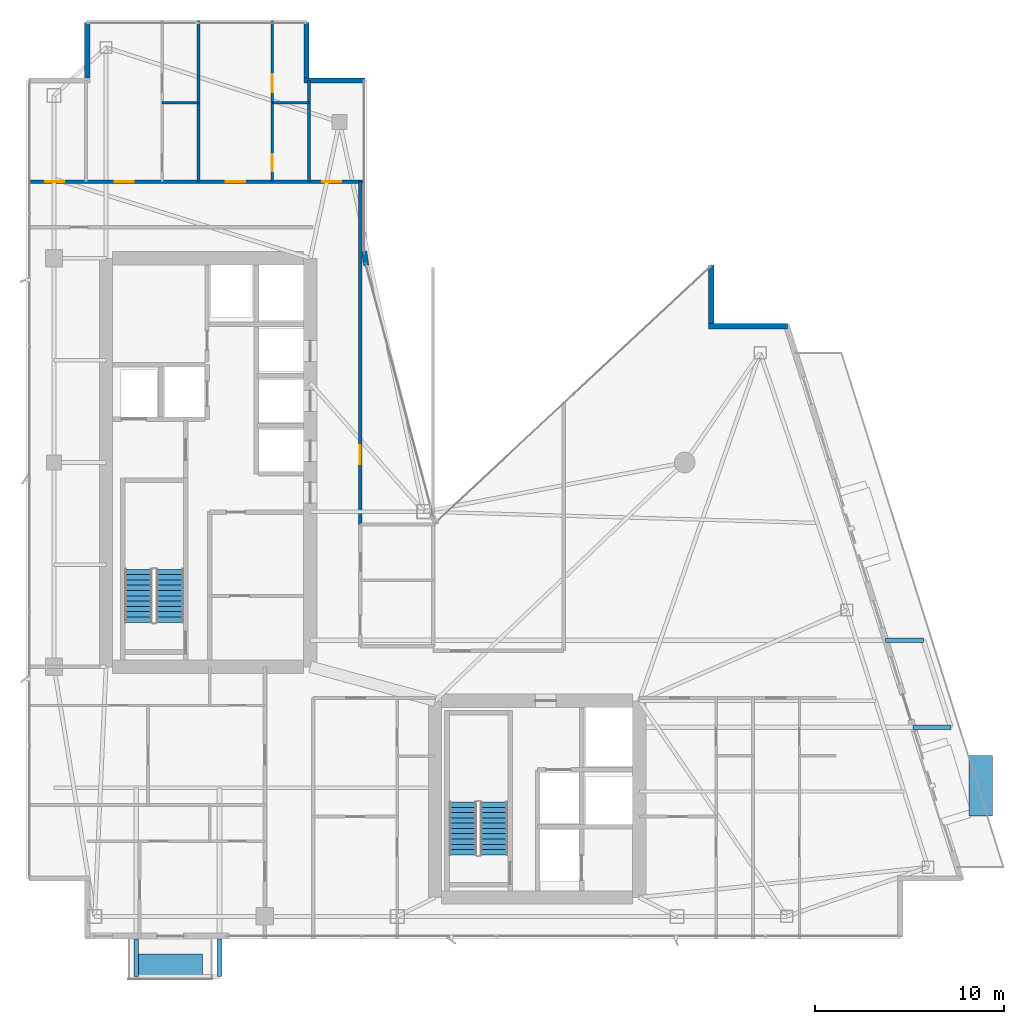
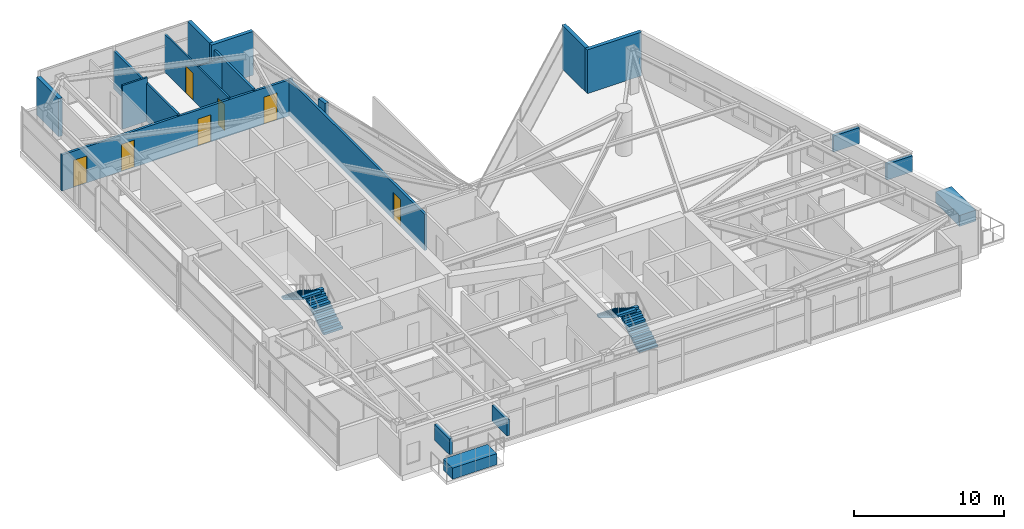
# One storey, part 25 of 28: 13 walls, 7 doors, 6 discrete accessories, 4 stair flights, 7 openings, 2 elements without a shape of their own.
"""IFC4 building model written with IfcOpenShell, lengths in metres."""

from ifc_helpers import new_model, si_unit, direction, frame, frame_2d, origin, origin_2d, place, context, subcontext, project, spatial, polyline, rectangle, outline, extrude, material, layer, layer_set, type_object, element, fill, aggregate, save


model = new_model("IFC4")

# Units and contexts
model_context = context("Model", 3, precision=1e-05, world=origin(), true_north=direction((0.0, 1.0)))
body_context = subcontext(model_context, "Body", "Model", "MODEL_VIEW")
ifc_project = project(units=[si_unit("LENGTHUNIT", "METRE"), si_unit("AREAUNIT", "SQUARE_METRE"), si_unit("VOLUMEUNIT", "CUBIC_METRE"), si_unit("PLANEANGLEUNIT", "RADIAN"), si_unit("MASSUNIT", "GRAM", prefix="KILO")], contexts=[model_context])

# Site, building, storey
site_placement = place(None, origin())
site = spatial("IfcSite", under=ifc_project, at=site_placement, CompositionType="ELEMENT")
building_placement = place(site_placement, origin())
building = spatial("IfcBuilding", under=site, at=building_placement, Name="Calvorn Quay Hotel", CompositionType="ELEMENT")
storey_placement = place(building_placement, frame((0.0, 0.0, 219.300048828125)))
storey = spatial("IfcBuildingStorey", under=building, at=storey_placement, Name="L54", CompositionType="ELEMENT", Elevation=219.300048828125)

# Wall, openings, doors
ifc_material_1 = material(Name="Acoustic Fireboard Steel-Stud Partition", Category="steel")
ifc_layer_1 = layer(ifc_material_1, 0.179931640625)
ifc_layer_set_1 = layer_set([ifc_layer_1], Name="WL-CORR-FIRE-180")
wall_type_1 = type_object("IfcWallType", Name="WL-CORR-FIRE-180", PredefinedType="PARTITIONING", material=ifc_layer_set_1)
wall_1_placement = place(storey_placement, frame((0.080078125, 42.449951171875, 0.0), z_axis=(0.0, 0.0, 1.0), x_axis=(1.0, 0.0, 0.0)))
wall_1 = element("IfcWall", 1, at=wall_1_placement, inside=storey, type_object=wall_type_1, Name="Partition Wall L54-WL-CORR-NW-N", PredefinedType="PARTITIONING", context=body_context, shape_type="SweptSolid", body=[
    extrude(rectangle(XDim=17.77001953125, YDim=0.179931640625, at=frame_2d((8.885009765625, 0.0))), origin(), (0.0, 0.0, 1.0), 2.93994140625),
])
opening_1_placement = place(wall_1_placement, frame((0.89990234375, 0.0, 0.0)))
opening_1 = element("IfcOpeningElement", 2, at=opening_1_placement, cuts=wall_1, Name="Opening D-L54-NWW", PredefinedType="OPENING", context=body_context, shape_type="SweptSolid", body=[
    extrude(rectangle(XDim=1.02001953125, YDim=2.199951171875, at=frame_2d((0.510009765625, 1.10009765625))), frame((0.0, 0.099853515625, 0.0), z_axis=(0.0, -1.0, 0.0), x_axis=(1.0, 0.0, 0.0)), (0.0, 0.0, 1.0), 0.199951171875),
])
opening_2_placement = place(wall_1_placement, frame((4.570068359375, 0.0, 0.0)))
opening_2 = element("IfcOpeningElement", 3, at=opening_2_placement, cuts=wall_1, Name="Opening D-L54-U04", PredefinedType="OPENING", context=body_context, shape_type="SweptSolid", body=[
    extrude(rectangle(XDim=1.02001953125, YDim=2.199951171875, at=frame_2d((0.510009765625, 1.10009765625))), frame((0.0, 0.099853515625, 0.0), z_axis=(0.0, -1.0, 0.0), x_axis=(1.0, 0.0, 0.0)), (0.0, 0.0, 1.0), 0.199951171875),
])
opening_3_placement = place(wall_1_placement, frame((10.4599609375, 0.0, 0.0)))
opening_3 = element("IfcOpeningElement", 4, at=opening_3_placement, cuts=wall_1, Name="Opening D-L54-U05", PredefinedType="OPENING", context=body_context, shape_type="SweptSolid", body=[
    extrude(rectangle(XDim=1.02001953125, YDim=2.199951171875, at=frame_2d((0.510009765625, 1.10009765625))), frame((0.0, 0.099853515625, 0.0), z_axis=(0.0, -1.0, 0.0), x_axis=(1.0, 0.0, 0.0)), (0.0, 0.0, 1.0), 0.199951171875),
])
opening_4_placement = place(wall_1_placement, frame((15.550048828125, 0.0, 0.0)))
opening_4 = element("IfcOpeningElement", 5, at=opening_4_placement, cuts=wall_1, Name="Opening D-L54-NWE", PredefinedType="OPENING", context=body_context, shape_type="SweptSolid", body=[
    extrude(rectangle(XDim=1.02001953125, YDim=2.199951171875, at=frame_2d((0.510009765625, 1.10009765625))), frame((0.0, 0.099853515625, 0.0), z_axis=(0.0, -1.0, 0.0), x_axis=(1.0, 0.0, 0.0)), (0.0, 0.0, 1.0), 0.199951171875),
])
ifc_material_2 = material(Name="Solid-Core Walnut Veneer Hotel Fire Door")
door_type_1 = type_object("IfcDoorType", Name="DR-GUEST-ENTRY-1020", OperationType="NOTDEFINED", PredefinedType="DOOR", material=ifc_material_2)
door_1_placement = place(opening_1_placement, origin())
door_1 = element("IfcDoor", 6, at=door_1_placement, inside=storey, type_object=door_type_1, Name="West Corner Study Door (L54)", OperationType="SINGLE_SWING_LEFT", OverallHeight=2.199951171875, OverallWidth=1.02001953125, PredefinedType="DOOR", context=body_context, shape_type="SweptSolid", body=[
    extrude(rectangle(XDim=1.02001953125, YDim=2.199951171875, at=frame_2d((0.510009765625, 1.10009765625))), frame((0.0, 0.02490234375, 0.0), z_axis=(0.0, -1.0, 0.0), x_axis=(1.0, 0.0, 0.0)), (0.0, 0.0, 1.0), 0.050048828125),
])
fill(opening_1, door_1)
door_2_placement = place(opening_2_placement, origin())
door_2 = element("IfcDoor", 7, at=door_2_placement, inside=storey, type_object=door_type_1, Name="North-West Unit Door U04 (L54)", OperationType="SINGLE_SWING_RIGHT", OverallHeight=2.199951171875, OverallWidth=1.02001953125, PredefinedType="DOOR", context=body_context, shape_type="SweptSolid", body=[
    extrude(rectangle(XDim=1.02001953125, YDim=2.199951171875, at=frame_2d((0.510009765625, 1.10009765625))), frame((0.0, 0.02490234375, 0.0), z_axis=(0.0, -1.0, 0.0), x_axis=(1.0, 0.0, 0.0)), (0.0, 0.0, 1.0), 0.050048828125),
])
fill(opening_2, door_2)
door_3_placement = place(opening_3_placement, origin())
door_3 = element("IfcDoor", 8, at=door_3_placement, inside=storey, type_object=door_type_1, Name="North-West Unit Door U05 (L54)", OperationType="SINGLE_SWING_LEFT", OverallHeight=2.199951171875, OverallWidth=1.02001953125, PredefinedType="DOOR", context=body_context, shape_type="SweptSolid", body=[
    extrude(rectangle(XDim=1.02001953125, YDim=2.199951171875, at=frame_2d((0.510009765625, 1.10009765625))), frame((0.0, 0.02490234375, 0.0), z_axis=(0.0, -1.0, 0.0), x_axis=(1.0, 0.0, 0.0)), (0.0, 0.0, 1.0), 0.050048828125),
])
fill(opening_3, door_3)
door_4_placement = place(opening_4_placement, origin())
door_4 = element("IfcDoor", 9, at=door_4_placement, inside=storey, type_object=door_type_1, Name="Inner Court Study Door (L54)", OperationType="SINGLE_SWING_RIGHT", OverallHeight=2.199951171875, OverallWidth=1.02001953125, PredefinedType="DOOR", context=body_context, shape_type="SweptSolid", body=[
    extrude(rectangle(XDim=1.02001953125, YDim=2.199951171875, at=frame_2d((0.510009765625, 1.10009765625))), frame((0.0, 0.02490234375, 0.0), z_axis=(0.0, -1.0, 0.0), x_axis=(1.0, 0.0, 0.0)), (0.0, 0.0, 1.0), 0.050048828125),
])
fill(opening_4, door_4)

# Wall, opening, door
wall_2_placement = place(storey_placement, frame((17.64990234375, 24.300048828125, 0.0), z_axis=(0.0, 0.0, 1.0), x_axis=(0.0, 1.0, 0.0)))
wall_2 = element("IfcWall", 10, at=wall_2_placement, inside=storey, type_object=wall_type_1, Name="Partition Wall L54-WL-NW-CLOSURE-E", PredefinedType="PARTITIONING", context=body_context, shape_type="SweptSolid", body=[
    extrude(rectangle(XDim=18.14990234375, YDim=0.179931640625, at=frame_2d((9.074951171875, 0.0))), origin(), (0.0, 0.0, 1.0), 2.93994140625),
])
opening_5_placement = place(wall_2_placement, frame((3.199951171875, 0.0, 0.0)))
opening_5 = element("IfcOpeningElement", 11, at=opening_5_placement, cuts=wall_2, Name="Opening D-L54-NCU", PredefinedType="OPENING", context=body_context, shape_type="SweptSolid", body=[
    extrude(rectangle(XDim=1.02001953125, YDim=2.199951171875, at=frame_2d((0.510009765625, 1.10009765625))), frame((0.0, 0.099853515625, 0.0), z_axis=(0.0, -1.0, 0.0), x_axis=(1.0, 0.0, 0.0)), (0.0, 0.0, 1.0), 0.199951171875),
])
door_5_placement = place(opening_5_placement, origin())
door_5 = element("IfcDoor", 12, at=door_5_placement, inside=storey, type_object=door_type_1, Name="Inner Court Horizon Study Door (L54)", OperationType="SINGLE_SWING_RIGHT", OverallHeight=2.199951171875, OverallWidth=1.02001953125, PredefinedType="DOOR", context=body_context, shape_type="SweptSolid", body=[
    extrude(rectangle(XDim=1.02001953125, YDim=2.199951171875, at=frame_2d((0.510009765625, 1.10009765625))), frame((0.0, 0.02490234375, 0.0), z_axis=(0.0, -1.0, 0.0), x_axis=(1.0, 0.0, 0.0)), (0.0, 0.0, 1.0), 0.050048828125),
])
fill(opening_5, door_5)

# Walls
ifc_material_3 = material(Name="Moisture-Resistant Tile-Backed Partition")
ifc_layer_2 = layer(ifc_material_3, 0.125)
ifc_layer_set_2 = layer_set([ifc_layer_2], Name="WL-ENSUITE-125")
wall_type_2 = type_object("IfcWallType", Name="WL-ENSUITE-125", PredefinedType="PARTITIONING", material=ifc_layer_set_2)
wall_3_placement = place(storey_placement, frame((7.169921875, 46.6201171875, 0.0), z_axis=(0.0, 0.0, 1.0), x_axis=(1.0, 0.0, 0.0)))
element("IfcWall", 13, at=wall_3_placement, inside=storey, type_object=wall_type_2, Name="Partition Wall L54-WL-U04-BDV", PredefinedType="PARTITIONING", context=body_context, shape_type="SweptSolid", body=[
    extrude(rectangle(XDim=1.93017578125, YDim=0.125, at=frame_2d((0.965087890625, 0.0))), origin(), (0.0, 0.0, 1.0), 3.56005859375),
])
wall_4_placement = place(storey_placement, frame((12.989990234375, 46.6201171875, 0.0), z_axis=(0.0, 0.0, 1.0), x_axis=(1.0, 0.0, 0.0)))
element("IfcWall", 14, at=wall_4_placement, inside=storey, type_object=wall_type_2, Name="Partition Wall L54-WL-U05-BDV", PredefinedType="PARTITIONING", context=body_context, shape_type="SweptSolid", body=[
    extrude(rectangle(XDim=1.929931640625, YDim=0.125, at=frame_2d((0.96484375, 0.0))), origin(), (0.0, 0.0, 1.0), 3.08984375),
])

# Wall, openings, doors
wall_5_placement = place(storey_placement, frame((12.989990234375, 42.449951171875, 0.0), z_axis=(0.0, 0.0, 1.0), x_axis=(0.0, 1.0, 0.0)))
wall_5 = element("IfcWall", 15, at=wall_5_placement, inside=storey, type_object=wall_type_2, Name="Partition Wall L54-WL-U05-BV", PredefinedType="PARTITIONING", context=body_context, shape_type="SweptSolid", body=[
    extrude(rectangle(XDim=8.489990234375, YDim=0.125, at=frame_2d((4.2451171875, 0.0))), origin(), (0.0, 0.0, 1.0), 3.08984375),
])
opening_6_placement = place(wall_5_placement, frame((0.550048828125, 0.0, 0.0)))
opening_6 = element("IfcOpeningElement", 16, at=opening_6_placement, cuts=wall_5, Name="Opening D-L54-E05", PredefinedType="OPENING", context=body_context, shape_type="SweptSolid", body=[
    extrude(rectangle(XDim=0.89990234375, YDim=2.14990234375, at=frame_2d((0.449951171875, 1.074951171875))), frame((0.0, 0.072509765625, 0.0), z_axis=(0.0, -1.0, 0.0), x_axis=(1.0, 0.0, 0.0)), (0.0, 0.0, 1.0), 0.14501953125),
])
opening_7_placement = place(wall_5_placement, frame((4.719970703125, 0.0, 0.0)))
opening_7 = element("IfcOpeningElement", 17, at=opening_7_placement, cuts=wall_5, Name="Opening D-L54-S05", PredefinedType="OPENING", context=body_context, shape_type="SweptSolid", body=[
    extrude(rectangle(XDim=0.9599609375, YDim=2.199951171875, at=frame_2d((0.47998046875, 1.10009765625))), frame((0.0, 0.072509765625, 0.0), z_axis=(0.0, -1.0, 0.0), x_axis=(1.0, 0.0, 0.0)), (0.0, 0.0, 1.0), 0.14501953125),
])
ifc_material_4 = material(Name="Moisture-Sealed Timber En-Suite Door", Category="wood")
door_type_2 = type_object("IfcDoorType", Name="DR-ENSUITE-900", OperationType="NOTDEFINED", PredefinedType="DOOR", material=ifc_material_4)
door_6_placement = place(opening_6_placement, origin())
door_6 = element("IfcDoor", 18, at=door_6_placement, inside=storey, type_object=door_type_2, Name="En-Suite Door 05", OperationType="SINGLE_SWING_LEFT", OverallHeight=2.14990234375, OverallWidth=0.89990234375, PredefinedType="DOOR", context=body_context, shape_type="SweptSolid", body=[
    extrude(rectangle(XDim=0.89990234375, YDim=2.14990234375, at=frame_2d((0.449951171875, 1.074951171875))), frame((0.0, 0.02490234375, 0.0), z_axis=(0.0, -1.0, 0.0), x_axis=(1.0, 0.0, 0.0)), (0.0, 0.0, 1.0), 0.050048828125),
])
fill(opening_6, door_6)
ifc_material_5 = material(Name="Solid Timber Internal Suite Door", Category="wood")
door_type_3 = type_object("IfcDoorType", Name="DR-SUITE-INT-960", OperationType="NOTDEFINED", PredefinedType="DOOR", material=ifc_material_5)
door_7_placement = place(opening_7_placement, origin())
door_7 = element("IfcDoor", 19, at=door_7_placement, inside=storey, type_object=door_type_3, Name="Executive Work Office Door 05", OperationType="SINGLE_SWING_RIGHT", OverallHeight=2.199951171875, OverallWidth=0.9599609375, PredefinedType="DOOR", context=body_context, shape_type="SweptSolid", body=[
    extrude(rectangle(XDim=0.9599609375, YDim=2.199951171875, at=frame_2d((0.47998046875, 1.10009765625))), frame((0.0, 0.02490234375, 0.0), z_axis=(0.0, -1.0, 0.0), x_axis=(1.0, 0.0, 0.0)), (0.0, 0.0, 1.0), 0.050048828125),
])
fill(opening_7, door_7)

# Walls
ifc_material_6 = material(Name="Concrete C40", Category="concrete")
ifc_layer_3 = layer(ifc_material_6, 0.320068359375)
ifc_layer_set_3 = layer_set([ifc_layer_3], Name="WL-EXT-SPANDREL-320")
wall_type_3 = type_object("IfcWallType", Name="WL-EXT-SPANDREL-320", PredefinedType="SOLIDWALL", material=ifc_layer_set_3)
wall_6_placement = place(storey_placement, frame((17.9619140625, 38.030029296875, 0.0), z_axis=(0.0, 0.0, 1.0), x_axis=(-0.15141125477, 0.988470855377, 0.0)))
element("IfcWall", 20, at=wall_6_placement, inside=storey, type_object=wall_type_3, Name="Inner Court Corner Pier L54-ICJ2", PredefinedType="SOLIDWALL", context=body_context, shape_type="SweptSolid", body=[
    extrude(rectangle(XDim=0.738525390625, YDim=0.280029296875, at=frame_2d((0.369140625, 0.0))), origin(), (0.0, 0.0, 1.0), 3.56005859375),
])
wall_7_placement = place(storey_placement, frame((40.239990234375, 34.800048828125, 0.0), z_axis=(0.0, 0.0, 1.0), x_axis=(-1.0, 0.0, 0.0)))
element("IfcWall", 21, at=wall_7_placement, inside=storey, type_object=wall_type_3, Name="Notched Corner Spandrel L54-NE1", PredefinedType="SOLIDWALL", context=body_context, shape_type="SweptSolid", body=[
    extrude(rectangle(XDim=4.179931640625, YDim=0.280029296875, at=frame_2d((2.08984375, 0.0))), origin(), (0.0, 0.0, 1.0), 3.56005859375),
])
wall_8_placement = place(storey_placement, frame((36.199951171875, 34.93994140625, 0.0), z_axis=(0.0, 0.0, 1.0), x_axis=(0.0, 1.0, 0.0)))
element("IfcWall", 22, at=wall_8_placement, inside=storey, type_object=wall_type_3, Name="Notched Corner Spandrel L54-NE2", PredefinedType="SOLIDWALL", context=body_context, shape_type="SweptSolid", body=[
    extrude(rectangle(XDim=3.10009765625, YDim=0.280029296875, at=frame_2d((1.550048828125, 0.0))), origin(), (0.0, 0.0, 1.0), 3.56005859375),
])
wall_9_placement = place(storey_placement, frame((17.89990234375, 47.800048828125, 0.0), z_axis=(0.0, 0.0, 1.0), x_axis=(-1.0, 0.0, 0.0)))
element("IfcWall", 23, at=wall_9_placement, inside=storey, type_object=wall_type_3, Name="Notched Corner Spandrel L54-NWE1", PredefinedType="SOLIDWALL", context=body_context, shape_type="SweptSolid", body=[
    extrude(rectangle(XDim=3.239990234375, YDim=0.280029296875, at=frame_2d((1.6201171875, 0.0))), origin(), (0.0, 0.0, 1.0), 3.56005859375),
])
wall_10_placement = place(storey_placement, frame((14.800048828125, 47.93994140625, 0.0), z_axis=(0.0, 0.0, 1.0), x_axis=(0.0, 1.0, 0.0)))
element("IfcWall", 24, at=wall_10_placement, inside=storey, type_object=wall_type_3, Name="Notched Corner Spandrel L54-NWE2", PredefinedType="SOLIDWALL", context=body_context, shape_type="SweptSolid", body=[
    extrude(rectangle(XDim=2.93994140625, YDim=0.280029296875, at=frame_2d((1.469970703125, 0.0))), origin(), (0.0, 0.0, 1.0), 3.56005859375),
])
wall_11_placement = place(storey_placement, frame((3.199951171875, 50.8798828125, 0.0), z_axis=(0.0, 0.0, 1.0), x_axis=(0.0, -1.0, 0.0)))
element("IfcWall", 25, at=wall_11_placement, inside=storey, type_object=wall_type_3, Name="Notched Corner Spandrel L54-NW1", PredefinedType="SOLIDWALL", context=body_context, shape_type="SweptSolid", body=[
    extrude(rectangle(XDim=2.93994140625, YDim=0.280029296875, at=frame_2d((1.469970703125, 0.0))), origin(), (0.0, 0.0, 1.0), 3.08984375),
])
ifc_material_7 = material(Name="Double-Stud Acoustic Gypsum Partition")
ifc_layer_4 = layer(ifc_material_7, 0.159912109375)
ifc_layer_set_4 = layer_set([ifc_layer_4], Name="WL-INTERSUITE-160")
wall_type_4 = type_object("IfcWallType", Name="WL-INTERSUITE-160", PredefinedType="PARTITIONING", material=ifc_layer_set_4)
wall_12_placement = place(storey_placement, frame((14.919921875, 42.449951171875, 0.0), z_axis=(0.0, 0.0, 1.0), x_axis=(0.0, 1.0, 0.0)))
element("IfcWall", 26, at=wall_12_placement, inside=storey, type_object=wall_type_4, Name="Partition Wall L54-WL-NW-DIV-E0", PredefinedType="PARTITIONING", context=body_context, shape_type="SweptSolid", body=[
    extrude(rectangle(XDim=5.35009765625, YDim=0.159912109375, at=frame_2d((2.675048828125, 0.0))), origin(), (0.0, 0.0, 1.0), 3.08984375),
])
wall_13_placement = place(storey_placement, frame((9.10009765625, 42.449951171875, 0.0), z_axis=(0.0, 0.0, 1.0), x_axis=(0.0, 1.0, 0.0)))
element("IfcWall", 27, at=wall_13_placement, inside=storey, type_object=wall_type_4, Name="Partition Wall L54-WL-NW-DIV-1", PredefinedType="PARTITIONING", context=body_context, shape_type="SweptSolid", body=[
    extrude(rectangle(XDim=8.489990234375, YDim=0.159912109375, at=frame_2d((4.2451171875, 0.0))), origin(), (0.0, 0.0, 1.0), 3.08984375),
])

# Stair, stair flights
ifc_material_8 = material(Name="Concrete C40", Category="concrete")
stair_type = type_object("IfcStairType", Name="STR-CORE-DOGLEG", PredefinedType="HALF_TURN_STAIR", material=ifc_material_8)
stair_1_placement = place(storey_placement, origin())
stair_1 = element("IfcStair", 28, at=stair_1_placement, inside=storey, type_object=stair_type, Name="L54 ST-W", PredefinedType="HALF_TURN_STAIR")
ifc_material_9 = material(Name="Concrete C40", Category="concrete")
stair_flight_type = type_object("IfcStairFlightType", Name="FLT-CORE-1550", PredefinedType="STRAIGHT", material=ifc_material_9)
stair_flight_1_placement = place(storey_placement, frame((7.574951171875, 19.14990234375, 0.0), z_axis=(0.0, 0.0, 1.0), x_axis=(0.0, 1.0, 0.0)))
stair_flight_1 = element("IfcStairFlight", 29, at=stair_flight_1_placement, type_object=stair_flight_type, Name="ST-W flight 1", NumberOfRisers=11, NumberOfTreads=10, PredefinedType="STRAIGHT", RiserHeight=0.172727273, TreadLength=0.28, context=body_context, shape_type="SweptSolid", body=[
    extrude(outline(polyline([(0.0, 0.0), (0.0, 0.172607421875), (0.280029296875, 0.172607421875), (0.280029296875, 0.345458984375), (0.56005859375, 0.345458984375), (0.56005859375, 0.51806640625), (0.840087890625, 0.51806640625), (0.840087890625, 0.69091796875), (1.1201171875, 0.69091796875), (1.1201171875, 0.863525390625), (1.39990234375, 0.863525390625), (1.39990234375, 1.036376953125), (1.679931640625, 1.036376953125), (1.679931640625, 1.208984375), (1.9599609375, 1.208984375), (1.9599609375, 1.3818359375), (2.239990234375, 1.3818359375), (2.239990234375, 1.554443359375), (2.52001953125, 1.554443359375), (2.52001953125, 1.727294921875), (2.800048828125, 1.727294921875), (2.800048828125, 1.89990234375), (2.800048828125, 1.551025390625), (0.285400390625, 0.0), (0.0, 0.0)])), frame((0.0, 0.72509765625, 0.0), z_axis=(0.0, -1.0, 0.0), x_axis=(1.0, 0.0, 0.0)), (0.0, 0.0, 1.0), 1.449951171875),
])
stair_flight_2_placement = place(storey_placement, frame((5.925048828125, 21.949951171875, 1.89990234375), z_axis=(0.0, 0.0, 1.0), x_axis=(0.0, -1.0, 0.0)))
stair_flight_2 = element("IfcStairFlight", 30, at=stair_flight_2_placement, type_object=stair_flight_type, Name="ST-W flight 2", NumberOfRisers=11, NumberOfTreads=10, PredefinedType="STRAIGHT", RiserHeight=0.172727273, TreadLength=0.28, context=body_context, shape_type="SweptSolid", body=[
    extrude(outline(polyline([(0.0, 0.0), (0.0, 0.172607421875), (0.280029296875, 0.172607421875), (0.280029296875, 0.345458984375), (0.56005859375, 0.345458984375), (0.56005859375, 0.51806640625), (0.840087890625, 0.51806640625), (0.840087890625, 0.69091796875), (1.1201171875, 0.69091796875), (1.1201171875, 0.863525390625), (1.39990234375, 0.863525390625), (1.39990234375, 1.036376953125), (1.679931640625, 1.036376953125), (1.679931640625, 1.208984375), (1.9599609375, 1.208984375), (1.9599609375, 1.3818359375), (2.239990234375, 1.3818359375), (2.239990234375, 1.554443359375), (2.52001953125, 1.554443359375), (2.52001953125, 1.727294921875), (2.800048828125, 1.727294921875), (2.800048828125, 1.89990234375), (2.800048828125, 1.551025390625), (0.285400390625, 0.0), (0.0, 0.0)])), frame((0.0, 0.72509765625, 0.0), z_axis=(0.0, -1.0, 0.0), x_axis=(1.0, 0.0, 0.0)), (0.0, 0.0, 1.0), 1.449951171875),
])
aggregate(stair_1, [stair_flight_1, stair_flight_2])

stair_2_placement = place(storey_placement, origin())
stair_2 = element("IfcStair", 31, at=stair_2_placement, inside=storey, type_object=stair_type, Name="L54 ST-E", PredefinedType="HALF_TURN_STAIR")
stair_flight_3_placement = place(storey_placement, frame((24.72509765625, 6.85009765625, 0.0), z_axis=(0.0, 0.0, 1.0), x_axis=(0.0, 1.0, 0.0)))
stair_flight_3 = element("IfcStairFlight", 32, at=stair_flight_3_placement, type_object=stair_flight_type, Name="ST-E flight 1", NumberOfRisers=11, NumberOfTreads=10, PredefinedType="STRAIGHT", RiserHeight=0.172727273, TreadLength=0.28, context=body_context, shape_type="SweptSolid", body=[
    extrude(outline(polyline([(0.0, 0.0), (0.0, 0.172607421875), (0.280029296875, 0.172607421875), (0.280029296875, 0.345458984375), (0.56005859375, 0.345458984375), (0.56005859375, 0.51806640625), (0.840087890625, 0.51806640625), (0.840087890625, 0.69091796875), (1.1201171875, 0.69091796875), (1.1201171875, 0.863525390625), (1.39990234375, 0.863525390625), (1.39990234375, 1.036376953125), (1.679931640625, 1.036376953125), (1.679931640625, 1.208984375), (1.9599609375, 1.208984375), (1.9599609375, 1.3818359375), (2.239990234375, 1.3818359375), (2.239990234375, 1.554443359375), (2.52001953125, 1.554443359375), (2.52001953125, 1.727294921875), (2.800048828125, 1.727294921875), (2.800048828125, 1.89990234375), (2.800048828125, 1.551025390625), (0.285400390625, 0.0), (0.0, 0.0)])), frame((0.0, 0.72509765625, 0.0), z_axis=(0.0, -1.0, 0.0), x_axis=(1.0, 0.0, 0.0)), (0.0, 0.0, 1.0), 1.449951171875),
])
stair_flight_4_placement = place(storey_placement, frame((23.074951171875, 9.64990234375, 1.89990234375), z_axis=(0.0, 0.0, 1.0), x_axis=(0.0, -1.0, 0.0)))
stair_flight_4 = element("IfcStairFlight", 33, at=stair_flight_4_placement, type_object=stair_flight_type, Name="ST-E flight 2", NumberOfRisers=11, NumberOfTreads=10, PredefinedType="STRAIGHT", RiserHeight=0.172727273, TreadLength=0.28, context=body_context, shape_type="SweptSolid", body=[
    extrude(outline(polyline([(0.0, 0.0), (0.0, 0.172607421875), (0.280029296875, 0.172607421875), (0.280029296875, 0.345458984375), (0.56005859375, 0.345458984375), (0.56005859375, 0.51806640625), (0.840087890625, 0.51806640625), (0.840087890625, 0.69091796875), (1.1201171875, 0.69091796875), (1.1201171875, 0.863525390625), (1.39990234375, 0.863525390625), (1.39990234375, 1.036376953125), (1.679931640625, 1.036376953125), (1.679931640625, 1.208984375), (1.9599609375, 1.208984375), (1.9599609375, 1.3818359375), (2.239990234375, 1.3818359375), (2.239990234375, 1.554443359375), (2.52001953125, 1.554443359375), (2.52001953125, 1.727294921875), (2.800048828125, 1.727294921875), (2.800048828125, 1.89990234375), (2.800048828125, 1.551025390625), (0.285400390625, 0.0), (0.0, 0.0)])), frame((0.0, 0.72509765625, 0.0), z_axis=(0.0, -1.0, 0.0), x_axis=(1.0, 0.0, 0.0)), (0.0, 0.0, 1.0), 1.449951171875),
])
aggregate(stair_2, [stair_flight_3, stair_flight_4])

# Discrete accessories
ifc_material_10 = material(Name="Steel Q355B", Category="steel")
discrete_accessory_type_1 = type_object("IfcDiscreteAccessoryType", Name="ACC-BALC-STRUT", PredefinedType="BRACKET", material=ifc_material_10)
for number, where, z_axis, x_axis, name in (
    (34, (47.8740234375, 13.60009765625, 2.01513671875), (0.0, 0.0, 1.0), (1.0, 0.0, 0.0), "Exterior Balcony Steel Bracket L55-BALC-E-A"),
    (35, (46.425048828125, 18.199951171875, 2.01513671875), (0.0, 0.0, 1.0), (1.0, 0.0, 0.0), "Exterior Balcony Steel Bracket L55-BALC-E-B"),
):
    element("IfcDiscreteAccessory", number, at=place(storey_placement, frame(where, z_axis=z_axis, x_axis=x_axis)), inside=storey, type_object=discrete_accessory_type_1, Name=name, PredefinedType="BRACKET", context=body_context, shape_type="SweptSolid", body=[
        extrude(rectangle(XDim=1.989990234375, YDim=0.219970703125, at=origin_2d()), origin(), (0.0, 0.0, 1.0), 1.300048828125),
    ])
for number, where, z_axis, x_axis, name in (
    (36, (5.800048828125, 1.405029296875, 2.01513671875), (0.0, 0.0, 1.0), (1.0, 0.0, 0.0), "Exterior Balcony Steel Bracket L55-BALC-S-A"),
    (37, (10.199951171875, 1.405029296875, 2.01513671875), (0.0, 0.0, 1.0), (1.0, 0.0, 0.0), "Exterior Balcony Steel Bracket L55-BALC-S-B"),
):
    element("IfcDiscreteAccessory", number, at=place(storey_placement, frame(where, z_axis=z_axis, x_axis=x_axis)), inside=storey, type_object=discrete_accessory_type_1, Name=name, PredefinedType="BRACKET", context=body_context, shape_type="SweptSolid", body=[
        extrude(rectangle(XDim=0.219970703125, YDim=1.989990234375, at=origin_2d()), origin(), (0.0, 0.0, 1.0), 1.300048828125),
    ])
ifc_material_11 = material(Name="Precast concrete C40", Category="concrete")
discrete_accessory_type_2 = type_object("IfcDiscreteAccessoryType", Name="ACC-TREE-PLANTER", PredefinedType="USERDEFINED", material=ifc_material_11)
discrete_accessory_1_placement = place(storey_placement, frame((7.60009765625, 0.989990234375, 0.0), z_axis=(0.0, 0.0, 1.0), x_axis=(1.0, 0.0, 0.0)))
element("IfcDiscreteAccessory", 38, at=discrete_accessory_1_placement, inside=storey, type_object=discrete_accessory_type_2, Name="Subtropical Tree Structural Planter L54-BALC-S", ObjectType="PLANTER", PredefinedType="USERDEFINED", context=body_context, shape_type="SweptSolid", body=[
    extrude(rectangle(XDim=3.39990234375, YDim=1.25, at=origin_2d()), origin(), (0.0, 0.0, 1.0), 0.89990234375),
])
discrete_accessory_2_placement = place(storey_placement, frame((50.446044921875, 10.5, 0.0), z_axis=(0.0, 0.0, 1.0), x_axis=(1.0, 0.0, 0.0)))
element("IfcDiscreteAccessory", 39, at=discrete_accessory_2_placement, inside=storey, type_object=discrete_accessory_type_2, Name="Sawtooth Terrace Tree Planter (L54)", ObjectType="PLANTER", PredefinedType="USERDEFINED", context=body_context, shape_type="SweptSolid", body=[
    extrude(rectangle(XDim=1.25, YDim=3.199951171875, at=origin_2d()), origin(), (0.0, 0.0, 1.0), 0.89990234375),
])

save(model, "model.ifc")
